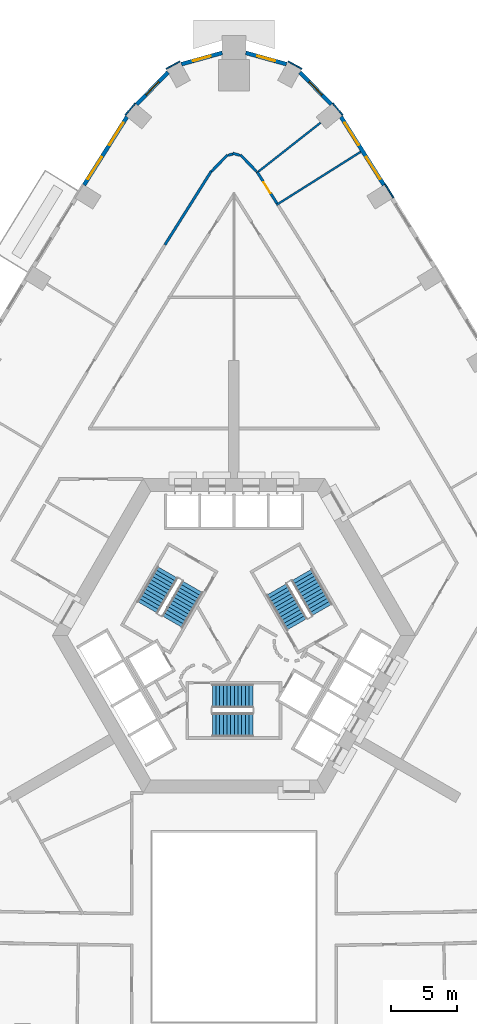
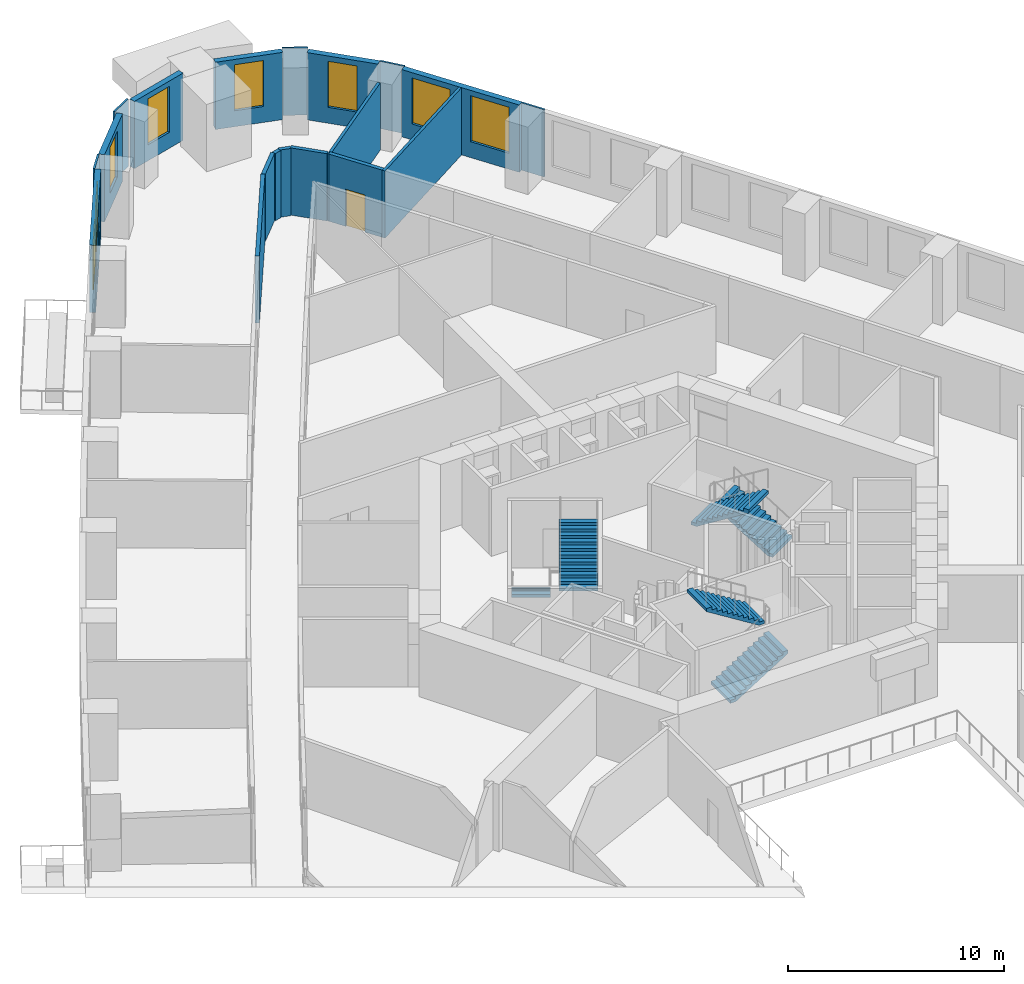
# One storey, part 12 of 15: 19 walls, 8 windows, 6 stair flights, 1 door, 9 openings, 3 elements without a shape of their own.
"""IFC4 building model written with IfcOpenShell, lengths in metres."""

from ifc_helpers import new_model, si_unit, direction, frame, frame_2d, origin, place, context, subcontext, project, spatial, polyline, rectangle, outline, extrude, material, layer, layer_set, type_object, element, fill, aggregate, save


model = new_model("IFC4")

# Units and contexts
model_context = context("Model", 3, precision=1e-05, world=origin(), true_north=direction((0.0, 1.0)))
body_context = subcontext(model_context, "Body", "Model", "MODEL_VIEW")
ifc_project = project(units=[si_unit("LENGTHUNIT", "METRE"), si_unit("AREAUNIT", "SQUARE_METRE"), si_unit("VOLUMEUNIT", "CUBIC_METRE"), si_unit("PLANEANGLEUNIT", "RADIAN"), si_unit("MASSUNIT", "GRAM", prefix="KILO")], contexts=[model_context])

# Site, building, storey
site_placement = place(None, origin())
site = spatial("IfcSite", under=ifc_project, at=site_placement, CompositionType="ELEMENT")
building_placement = place(site_placement, origin())
building = spatial("IfcBuilding", under=site, at=building_placement, Name="Entoto Arch Interchange Tower", CompositionType="ELEMENT")
storey_placement = place(building_placement, frame((0.0, 0.0, 56.0)))
storey = spatial("IfcBuildingStorey", under=building, at=storey_placement, Name="L11", CompositionType="ELEMENT", Elevation=56.0)

# Walls
ifc_material_1 = material(Name="Gypsum board partition on steel studs", Category="steel")
ifc_layer_1 = layer(ifc_material_1, 0.14990234375)
ifc_layer_set_1 = layer_set([ifc_layer_1], Name="Gypsum board partition on steel studs")
wall_type_1 = type_object("IfcWallType", Name="PARTITION 150", PredefinedType="PARTITIONING", material=ifc_layer_set_1)
wall_1_placement = place(storey_placement, frame((3.235107421875, 35.35205078125, 0.0), z_axis=(0.0, 0.0, 1.0), x_axis=(0.845987036055, 0.533203464755, 0.0)))
element("IfcWall", 1, at=wall_1_placement, inside=storey, type_object=wall_type_1, Name="wall:L11:p138", PredefinedType="PARTITIONING", context=body_context, shape_type="SweptSolid", body=[
    extrude(rectangle(XDim=7.599365234375, YDim=0.14990234375, at=frame_2d((3.7998046875, 0.0))), origin(), (0.0, 0.0, 1.0), 3.800048828125),
])
wall_2_placement = place(storey_placement, frame((1.708984375, 37.77294921875, 0.0), z_axis=(0.0, 0.0, 1.0), x_axis=(0.785857956092, 0.618407044629, 0.0)))
element("IfcWall", 2, at=wall_2_placement, inside=storey, type_object=wall_type_1, Name="wall:L11:p139", PredefinedType="PARTITIONING", context=body_context, shape_type="SweptSolid", body=[
    extrude(rectangle(XDim=6.22265625, YDim=0.14990234375, at=frame_2d((3.111328125, 0.0))), origin(), (0.0, 0.0, 1.0), 3.800048828125),
])

# Wall, opening, door
ifc_layer_2 = layer(ifc_material_1, 0.199951171875)
ifc_layer_set_2 = layer_set([ifc_layer_2], Name="Gypsum board partition on steel studs")
wall_type_2 = type_object("IfcWallType", Name="PARTITION 200", PredefinedType="PARTITIONING", material=ifc_layer_set_2)
wall_3_placement = place(storey_placement, frame((1.77490234375, 37.85595703125, 0.0), z_axis=(0.0, 0.0, 1.0), x_axis=(0.533221537001, -0.845975645322, 0.0)))
wall_3 = element("IfcWall", 3, at=wall_3_placement, inside=storey, type_object=wall_type_2, Name="wall:L11:p055", PredefinedType="PARTITIONING", context=body_context, shape_type="SweptSolid", body=[
    extrude(rectangle(XDim=2.82275390625, YDim=0.199951171875, at=frame_2d((1.411376953125, 0.0))), origin(), (0.0, 0.0, 1.0), 3.800048828125),
])
opening_1_placement = place(wall_3_placement, frame((0.910888671875, 0.0, 0.0)))
opening_1 = element("IfcOpeningElement", 4, at=opening_1_placement, cuts=wall_3, Name="Opening L11-D08", PredefinedType="OPENING", context=body_context, shape_type="SweptSolid", body=[
    extrude(rectangle(XDim=1.0, YDim=2.10009765625, at=frame_2d((0.5, 1.050048828125))), frame((0.0, 0.10986328125, 0.0), z_axis=(0.0, -1.0, 0.0), x_axis=(1.0, 0.0, 0.0)), (0.0, 0.0, 1.0), 0.219970703125),
])
ifc_material_2 = material(Name="Timber door leaf in Steel S235 frame", Category="steel")
door_type = type_object("IfcDoorType", Name="DOOR DS-10 1000x2100", OperationType="SINGLE_SWING_LEFT", PredefinedType="DOOR", material=ifc_material_2)
door_placement = place(opening_1_placement, origin())
door = element("IfcDoor", 5, at=door_placement, inside=storey, type_object=door_type, Name="door:L11:08", OperationType="SINGLE_SWING_LEFT", OverallHeight=2.10009765625, OverallWidth=1.0, PredefinedType="DOOR", context=body_context, shape_type="SweptSolid", body=[
    extrude(rectangle(XDim=1.0, YDim=2.10009765625, at=frame_2d((0.5, 1.050048828125))), frame((0.0, 0.02490234375, 0.0), z_axis=(0.0, -1.0, 0.0), x_axis=(1.0, 0.0, 0.0)), (0.0, 0.0, 1.0), 0.050048828125),
])
fill(opening_1, door)

# Walls
wall_4_placement = place(storey_placement, frame((-5.26708984375, 32.31494140625, 0.0), z_axis=(0.0, 0.0, 1.0), x_axis=(0.533195424135, 0.845992103794, 0.0)))
element("IfcWall", 6, at=wall_4_placement, inside=storey, type_object=wall_type_2, Name="wall:L11:p057", PredefinedType="PARTITIONING", context=body_context, shape_type="SweptSolid", body=[
    extrude(rectangle(XDim=6.624267578125, YDim=0.199951171875, at=frame_2d((3.31201171875, 0.0))), origin(), (0.0, 0.0, 1.0), 3.800048828125),
])
wall_5_placement = place(storey_placement, frame((-1.718017578125, 37.906005859375, 0.0), z_axis=(0.0, 0.0, 1.0), x_axis=(0.696949052806, 0.71712064382, 0.0)))
element("IfcWall", 7, at=wall_5_placement, inside=storey, type_object=wall_type_2, Name="wall:L11:p058", PredefinedType="PARTITIONING", context=body_context, shape_type="SweptSolid", body=[
    extrude(rectangle(XDim=1.779052734375, YDim=0.199951171875, at=frame_2d((0.8896484375, 0.0))), origin(), (0.0, 0.0, 1.0), 3.800048828125),
])
wall_6_placement = place(storey_placement, frame((-0.451904296875, 39.136962890625, 0.0), z_axis=(0.0, 0.0, 1.0), x_axis=(0.963347325023, 0.26825721122, 0.0)))
element("IfcWall", 8, at=wall_6_placement, inside=storey, type_object=wall_type_2, Name="wall:L11:p059", PredefinedType="PARTITIONING", context=body_context, shape_type="SweptSolid", body=[
    extrude(rectangle(XDim=0.369384765625, YDim=0.199951171875, at=frame_2d((0.1845703125, 0.0))), origin(), (0.0, 0.0, 1.0), 3.800048828125),
])
wall_7_placement = place(storey_placement, frame((-0.095947265625, 39.2900390625, 0.0), z_axis=(0.0, 0.0, 1.0), x_axis=(0.963110974003, -0.269104536854, 0.0)))
element("IfcWall", 9, at=wall_7_placement, inside=storey, type_object=wall_type_2, Name="wall:L11:p060", PredefinedType="PARTITIONING", context=body_context, shape_type="SweptSolid", body=[
    extrude(rectangle(XDim=0.56884765625, YDim=0.199951171875, at=frame_2d((0.284423828125, 0.0))), origin(), (0.0, 0.0, 1.0), 3.800048828125),
])
wall_8_placement = place(storey_placement, frame((0.47802734375, 39.181884765625, 0.0), z_axis=(0.0, 0.0, 1.0), x_axis=(0.696949052806, -0.71712064382, 0.0)))
element("IfcWall", 10, at=wall_8_placement, inside=storey, type_object=wall_type_2, Name="wall:L11:p061", PredefinedType="PARTITIONING", context=body_context, shape_type="SweptSolid", body=[
    extrude(rectangle(XDim=1.779052734375, YDim=0.199951171875, at=frame_2d((0.8896484375, 0.0))), origin(), (0.0, 0.0, 1.0), 3.800048828125),
])

# Wall, openings, windows
ifc_material_3 = material(Name="Welded tuff (ignimbrite) cladding, warm buff", Category="masonry")
ifc_layer_3 = layer(ifc_material_3, 0.300048828125)
ifc_layer_set_3 = layer_set([ifc_layer_3], Name="Welded tuff (ignimbrite) cladding, warm buff")
wall_type_3 = type_object("IfcWallType", Name="STONE INFILL WALL 300", PredefinedType="STANDARD", material=ifc_layer_set_3)
wall_9_placement = place(storey_placement, frame((11.43896484375, 36.868896484375, 0.0), z_axis=(0.0, 0.0, 1.0), x_axis=(-0.533075127321, 0.846067910177, 0.0)))
wall_9 = element("IfcWall", 11, at=wall_9_placement, inside=storey, type_object=wall_type_3, Name="Facade wall NE-09 L11", PredefinedType="STANDARD", context=body_context, shape_type="SweptSolid", body=[
    extrude(rectangle(XDim=6.15673828125, YDim=0.300048828125, at=frame_2d((3.078369140625, 0.0))), origin(), (0.0, 0.0, 1.0), 3.800048828125),
])
opening_2_placement = place(wall_9_placement, frame((0.5390625, 0.0, 0.89990234375)))
opening_2 = element("IfcOpeningElement", 12, at=opening_2_placement, cuts=wall_9, Name="Opening WO-C", PredefinedType="OPENING", context=body_context, shape_type="SweptSolid", body=[
    extrude(rectangle(XDim=2.0, YDim=2.60009765625, at=frame_2d((1.0, 1.300048828125))), frame((0.0, 0.16015625, 0.0), z_axis=(0.0, -1.0, 0.0), x_axis=(1.0, 0.0, 0.0)), (0.0, 0.0, 1.0), 0.320068359375),
])
opening_3_placement = place(wall_9_placement, frame((3.617919921875, 0.0, 0.89990234375)))
opening_3 = element("IfcOpeningElement", 13, at=opening_3_placement, cuts=wall_9, Name="Opening WO-C", PredefinedType="OPENING", context=body_context, shape_type="SweptSolid", body=[
    extrude(rectangle(XDim=2.0, YDim=2.60009765625, at=frame_2d((1.0, 1.300048828125))), frame((0.0, 0.16015625, 0.0), z_axis=(0.0, -1.0, 0.0), x_axis=(1.0, 0.0, 0.0)), (0.0, 0.0, 1.0), 0.320068359375),
])
ifc_material_4 = material(Name="Clear glass, low-e double glazed", Category="glass")
window_type_1 = type_object("IfcWindowType", Name="WINDOW WO-C 2000x2600", PartitioningType="DOUBLE_PANEL_VERTICAL", PredefinedType="WINDOW", material=ifc_material_4)
window_1_placement = place(opening_2_placement, origin())
window_1 = element("IfcWindow", 14, at=window_1_placement, inside=storey, type_object=window_type_1, Name="Window WO-C NE-09 L11", OverallHeight=2.60009765625, OverallWidth=2.0, PartitioningType="SINGLE_PANEL", PredefinedType="WINDOW", context=body_context, shape_type="SweptSolid", body=[
    extrude(rectangle(XDim=2.0, YDim=2.60009765625, at=frame_2d((1.0, 1.300048828125))), frame((0.0, 0.030029296875, 0.0), z_axis=(0.0, -1.0, 0.0), x_axis=(1.0, 0.0, 0.0)), (0.0, 0.0, 1.0), 0.06005859375),
])
fill(opening_2, window_1)
window_2_placement = place(opening_3_placement, origin())
window_2 = element("IfcWindow", 15, at=window_2_placement, inside=storey, type_object=window_type_1, Name="Window WO-C NE-09 L11", OverallHeight=2.60009765625, OverallWidth=2.0, PartitioningType="SINGLE_PANEL", PredefinedType="WINDOW", context=body_context, shape_type="SweptSolid", body=[
    extrude(rectangle(XDim=2.0, YDim=2.60009765625, at=frame_2d((1.0, 1.300048828125))), frame((0.0, 0.030029296875, 0.0), z_axis=(0.0, -1.0, 0.0), x_axis=(1.0, 0.0, 0.0)), (0.0, 0.0, 1.0), 0.06005859375),
])
fill(opening_3, window_2)

# Wall, opening, window
wall_10_placement = place(storey_placement, frame((7.416015625, 43.02001953125, 0.0), z_axis=(0.0, 0.0, 1.0), x_axis=(-0.696939827977, 0.717129609052, 0.0)))
wall_10 = element("IfcWall", 16, at=wall_10_placement, inside=storey, type_object=wall_type_3, Name="Facade wall N-01 L11", PredefinedType="STANDARD", context=body_context, shape_type="SweptSolid", body=[
    extrude(rectangle(XDim=3.422119140625, YDim=0.300048828125, at=frame_2d((1.7109375, 0.0))), origin(), (0.0, 0.0, 1.0), 3.800048828125),
])
opening_4_placement = place(wall_10_placement, frame((1.010986328125, 0.0, 0.89990234375)))
opening_4 = element("IfcOpeningElement", 17, at=opening_4_placement, cuts=wall_10, Name="Opening WO-B", PredefinedType="OPENING", context=body_context, shape_type="SweptSolid", body=[
    extrude(rectangle(XDim=1.39990234375, YDim=2.60009765625, at=frame_2d((0.699951171875, 1.300048828125))), frame((0.0, 0.16015625, 0.0), z_axis=(0.0, -1.0, 0.0), x_axis=(1.0, 0.0, 0.0)), (0.0, 0.0, 1.0), 0.320068359375),
])
window_type_2 = type_object("IfcWindowType", Name="WINDOW WO-B 1400x2600", PartitioningType="DOUBLE_PANEL_VERTICAL", PredefinedType="WINDOW", material=ifc_material_4)
window_3_placement = place(opening_4_placement, origin())
window_3 = element("IfcWindow", 18, at=window_3_placement, inside=storey, type_object=window_type_2, Name="Window WO-B N-01 L11", OverallHeight=2.60009765625, OverallWidth=1.39990234375, PartitioningType="SINGLE_PANEL", PredefinedType="WINDOW", context=body_context, shape_type="SweptSolid", body=[
    extrude(rectangle(XDim=1.39990234375, YDim=2.60009765625, at=frame_2d((0.699951171875, 1.300048828125))), frame((0.0, 0.030029296875, 0.0), z_axis=(0.0, -1.0, 0.0), x_axis=(1.0, 0.0, 0.0)), (0.0, 0.0, 1.0), 0.06005859375),
])
fill(opening_4, window_3)

wall_11_placement = place(storey_placement, frame((4.0029296875, 46.091064453125, 0.0), z_axis=(0.0, 0.0, 1.0), x_axis=(-0.96355047552, 0.267526598913, 0.0)))
wall_11 = element("IfcWall", 19, at=wall_11_placement, inside=storey, type_object=wall_type_3, Name="Facade wall N-02 L11", PredefinedType="STANDARD", context=body_context, shape_type="SweptSolid", body=[
    extrude(rectangle(XDim=3.221435546875, YDim=0.300048828125, at=frame_2d((1.61083984375, 0.0))), origin(), (0.0, 0.0, 1.0), 3.800048828125),
])
opening_5_placement = place(wall_11_placement, frame((0.910888671875, 0.0, 0.89990234375)))
opening_5 = element("IfcOpeningElement", 20, at=opening_5_placement, cuts=wall_11, Name="Opening WO-B", PredefinedType="OPENING", context=body_context, shape_type="SweptSolid", body=[
    extrude(rectangle(XDim=1.39990234375, YDim=2.60009765625, at=frame_2d((0.699951171875, 1.300048828125))), frame((0.0, 0.16015625, 0.0), z_axis=(0.0, -1.0, 0.0), x_axis=(1.0, 0.0, 0.0)), (0.0, 0.0, 1.0), 0.320068359375),
])
window_4_placement = place(opening_5_placement, origin())
window_4 = element("IfcWindow", 21, at=window_4_placement, inside=storey, type_object=window_type_2, Name="Window WO-B N-02 L11", OverallHeight=2.60009765625, OverallWidth=1.39990234375, PartitioningType="SINGLE_PANEL", PredefinedType="WINDOW", context=body_context, shape_type="SweptSolid", body=[
    extrude(rectangle(XDim=1.39990234375, YDim=2.60009765625, at=frame_2d((0.699951171875, 1.300048828125))), frame((0.0, 0.030029296875, 0.0), z_axis=(0.0, -1.0, 0.0), x_axis=(1.0, 0.0, 0.0)), (0.0, 0.0, 1.0), 0.06005859375),
])
fill(opening_5, window_4)

wall_12_placement = place(storey_placement, frame((-0.89892578125, 46.952880859375, 0.0), z_axis=(0.0, 0.0, 1.0), x_axis=(-0.96355047552, -0.267526598913, 0.0)))
wall_12 = element("IfcWall", 22, at=wall_12_placement, inside=storey, type_object=wall_type_3, Name="Facade wall N-03 L11", PredefinedType="STANDARD", context=body_context, shape_type="SweptSolid", body=[
    extrude(rectangle(XDim=3.221435546875, YDim=0.300048828125, at=frame_2d((1.61083984375, 0.0))), origin(), (0.0, 0.0, 1.0), 3.800048828125),
])
opening_6_placement = place(wall_12_placement, frame((0.910888671875, 0.0, 0.89990234375)))
opening_6 = element("IfcOpeningElement", 23, at=opening_6_placement, cuts=wall_12, Name="Opening WO-B", PredefinedType="OPENING", context=body_context, shape_type="SweptSolid", body=[
    extrude(rectangle(XDim=1.39990234375, YDim=2.60009765625, at=frame_2d((0.699951171875, 1.300048828125))), frame((0.0, 0.16015625, 0.0), z_axis=(0.0, -1.0, 0.0), x_axis=(1.0, 0.0, 0.0)), (0.0, 0.0, 1.0), 0.320068359375),
])
window_5_placement = place(opening_6_placement, origin())
window_5 = element("IfcWindow", 24, at=window_5_placement, inside=storey, type_object=window_type_2, Name="Window WO-B N-03 L11", OverallHeight=2.60009765625, OverallWidth=1.39990234375, PartitioningType="SINGLE_PANEL", PredefinedType="WINDOW", context=body_context, shape_type="SweptSolid", body=[
    extrude(rectangle(XDim=1.39990234375, YDim=2.60009765625, at=frame_2d((0.699951171875, 1.300048828125))), frame((0.0, 0.030029296875, 0.0), z_axis=(0.0, -1.0, 0.0), x_axis=(1.0, 0.0, 0.0)), (0.0, 0.0, 1.0), 0.06005859375),
])
fill(opening_6, window_5)

wall_13_placement = place(storey_placement, frame((-5.031005859375, 45.47412109375, 0.0), z_axis=(0.0, 0.0, 1.0), x_axis=(-0.696939827977, -0.717129609052, 0.0)))
wall_13 = element("IfcWall", 25, at=wall_13_placement, inside=storey, type_object=wall_type_3, Name="Facade wall N-04 L11", PredefinedType="STANDARD", context=body_context, shape_type="SweptSolid", body=[
    extrude(rectangle(XDim=3.422119140625, YDim=0.300048828125, at=frame_2d((1.7109375, 0.0))), origin(), (0.0, 0.0, 1.0), 3.800048828125),
])
opening_7_placement = place(wall_13_placement, frame((1.010986328125, 0.0, 0.89990234375)))
opening_7 = element("IfcOpeningElement", 26, at=opening_7_placement, cuts=wall_13, Name="Opening WO-B", PredefinedType="OPENING", context=body_context, shape_type="SweptSolid", body=[
    extrude(rectangle(XDim=1.39990234375, YDim=2.60009765625, at=frame_2d((0.699951171875, 1.300048828125))), frame((0.0, 0.16015625, 0.0), z_axis=(0.0, -1.0, 0.0), x_axis=(1.0, 0.0, 0.0)), (0.0, 0.0, 1.0), 0.320068359375),
])
window_6_placement = place(opening_7_placement, origin())
window_6 = element("IfcWindow", 27, at=window_6_placement, inside=storey, type_object=window_type_2, Name="Window WO-B N-04 L11", OverallHeight=2.60009765625, OverallWidth=1.39990234375, PartitioningType="SINGLE_PANEL", PredefinedType="WINDOW", context=body_context, shape_type="SweptSolid", body=[
    extrude(rectangle(XDim=1.39990234375, YDim=2.60009765625, at=frame_2d((0.699951171875, 1.300048828125))), frame((0.0, 0.030029296875, 0.0), z_axis=(0.0, -1.0, 0.0), x_axis=(1.0, 0.0, 0.0)), (0.0, 0.0, 1.0), 0.06005859375),
])
fill(opening_7, window_6)

# Wall, openings, windows
wall_14_placement = place(storey_placement, frame((-8.156982421875, 42.077880859375, 0.0), z_axis=(0.0, 0.0, 1.0), x_axis=(-0.533075127321, -0.846067910177, 0.0)))
wall_14 = element("IfcWall", 28, at=wall_14_placement, inside=storey, type_object=wall_type_3, Name="Facade wall NW-01 L11", PredefinedType="STANDARD", context=body_context, shape_type="SweptSolid", body=[
    extrude(rectangle(XDim=6.15673828125, YDim=0.300048828125, at=frame_2d((3.078369140625, 0.0))), origin(), (0.0, 0.0, 1.0), 3.800048828125),
])
opening_8_placement = place(wall_14_placement, frame((0.5390625, 0.0, 0.89990234375)))
opening_8 = element("IfcOpeningElement", 29, at=opening_8_placement, cuts=wall_14, Name="Opening WO-C", PredefinedType="OPENING", context=body_context, shape_type="SweptSolid", body=[
    extrude(rectangle(XDim=2.0, YDim=2.60009765625, at=frame_2d((1.0, 1.300048828125))), frame((0.0, 0.16015625, 0.0), z_axis=(0.0, -1.0, 0.0), x_axis=(1.0, 0.0, 0.0)), (0.0, 0.0, 1.0), 0.320068359375),
])
opening_9_placement = place(wall_14_placement, frame((3.617919921875, 0.0, 0.89990234375)))
opening_9 = element("IfcOpeningElement", 30, at=opening_9_placement, cuts=wall_14, Name="Opening WO-C", PredefinedType="OPENING", context=body_context, shape_type="SweptSolid", body=[
    extrude(rectangle(XDim=2.0, YDim=2.60009765625, at=frame_2d((1.0, 1.300048828125))), frame((0.0, 0.16015625, 0.0), z_axis=(0.0, -1.0, 0.0), x_axis=(1.0, 0.0, 0.0)), (0.0, 0.0, 1.0), 0.320068359375),
])
window_7_placement = place(opening_8_placement, origin())
window_7 = element("IfcWindow", 31, at=window_7_placement, inside=storey, type_object=window_type_1, Name="Window WO-C NW-01 L11", OverallHeight=2.60009765625, OverallWidth=2.0, PartitioningType="SINGLE_PANEL", PredefinedType="WINDOW", context=body_context, shape_type="SweptSolid", body=[
    extrude(rectangle(XDim=2.0, YDim=2.60009765625, at=frame_2d((1.0, 1.300048828125))), frame((0.0, 0.030029296875, 0.0), z_axis=(0.0, -1.0, 0.0), x_axis=(1.0, 0.0, 0.0)), (0.0, 0.0, 1.0), 0.06005859375),
])
fill(opening_8, window_7)
window_8_placement = place(opening_9_placement, origin())
window_8 = element("IfcWindow", 32, at=window_8_placement, inside=storey, type_object=window_type_1, Name="Window WO-C NW-01 L11", OverallHeight=2.60009765625, OverallWidth=2.0, PartitioningType="SINGLE_PANEL", PredefinedType="WINDOW", context=body_context, shape_type="SweptSolid", body=[
    extrude(rectangle(XDim=2.0, YDim=2.60009765625, at=frame_2d((1.0, 1.300048828125))), frame((0.0, 0.030029296875, 0.0), z_axis=(0.0, -1.0, 0.0), x_axis=(1.0, 0.0, 0.0)), (0.0, 0.0, 1.0), 0.06005859375),
])
fill(opening_9, window_8)

# Walls
ifc_layer_4 = layer(ifc_material_3, 0.10009765625)
ifc_layer_set_4 = layer_set([ifc_layer_4], Name="Welded tuff (ignimbrite) cladding, warm buff")
wall_type_4 = type_object("IfcWallType", Name="STONE PIER CLADDING 100", PredefinedType="STANDARD", material=ifc_layer_set_4)
for number, where, z_axis, x_axis, name in (
    (33, (5.172119140625, 45.72900390625, 0.0), (0.0, 0.0, 1.0), (-0.877155474831, 0.480206489934, 0.0), "Stone pier N1 L11"),
    (34, (-4.1201171875, 46.304931640625, 0.0), (0.0, 0.0, 1.0), (-0.877155474831, -0.480206489934, 0.0), "Stone pier N3 L11"),
):
    element("IfcWall", number, at=place(storey_placement, frame(where, z_axis=z_axis, x_axis=x_axis)), inside=storey, type_object=wall_type_4, Name=name, PredefinedType="STANDARD", context=body_context, shape_type="SweptSolid", body=[
        extrude(rectangle(XDim=1.19921875, YDim=0.10009765625, at=frame_2d((0.599609375, 0.0))), origin(), (0.0, 0.0, 1.0), 3.800048828125),
    ])
wall_15_placement = place(storey_placement, frame((12.162109375, 35.906982421875, 0.0), z_axis=(0.0, 0.0, 1.0), x_axis=(-0.530328162925, 0.847792450785, 0.0)))
element("IfcWall", 35, at=wall_15_placement, inside=storey, type_object=wall_type_4, Name="Stone pier NE09 L11", PredefinedType="STANDARD", context=body_context, shape_type="SweptSolid", body=[
    extrude(rectangle(XDim=1.19970703125, YDim=0.10009765625, at=frame_2d((0.599853515625, 0.0))), origin(), (0.0, 0.0, 1.0), 3.800048828125),
])
for number, where, z_axis, x_axis, name in (
    (36, (8.294921875, 42.19091796875, 0.0), (0.0, 0.0, 1.0), (-0.637638520791, 0.770335716947, 0.0), "Stone pier NE10 L11"),
    (37, (-7.530029296875, 43.114990234375, 0.0), (0.0, 0.0, 1.0), (-0.637638520791, -0.770335716947, 0.0), "Stone pier NW01 L11"),
):
    element("IfcWall", number, at=place(storey_placement, frame(where, z_axis=z_axis, x_axis=x_axis)), inside=storey, type_object=wall_type_4, Name=name, PredefinedType="STANDARD", context=body_context, shape_type="SweptSolid", body=[
        extrude(rectangle(XDim=1.199462890625, YDim=0.10009765625, at=frame_2d((0.599609375, 0.0))), origin(), (0.0, 0.0, 1.0), 3.800048828125),
    ])

# Stair, stair flights
ifc_material_5 = material(Name="Concrete C40/50", Category="concrete")
stair_type = type_object("IfcStairType", Name="EXIT STAIR RC 1800", PredefinedType="HALF_TURN_STAIR", material=ifc_material_5)
stair_1_placement = place(storey_placement, origin())
stair_1 = element("IfcStair", 38, at=stair_1_placement, inside=storey, type_object=stair_type, Name="L11 Exit stair S", PredefinedType="HALF_TURN_STAIR")
stair_flight_type = type_object("IfcStairFlightType", Name="EXIT STAIR FLIGHT RC 1800", PredefinedType="STRAIGHT", material=ifc_material_5)
stair_flight_1_placement = place(storey_placement, frame((-1.64990234375, -4.300048828125, 0.0), z_axis=(0.0, 0.0, 1.0), x_axis=(1.0, 0.0, 0.0)))
stair_flight_1 = element("IfcStairFlight", 39, at=stair_flight_1_placement, type_object=stair_flight_type, Name="ST-S flight 1", NumberOfRisers=12, NumberOfTreads=11, PredefinedType="STRAIGHT", RiserHeight=0.175, TreadLength=0.28, context=body_context, shape_type="SweptSolid", body=[
    extrude(outline(polyline([(-0.0029296875, 0.0), (-0.0029296875, 0.175048828125), (0.280029296875, 0.175048828125), (0.280029296875, 0.35009765625), (0.56005859375, 0.35009765625), (0.56005859375, 0.52490234375), (0.840087890625, 0.52490234375), (0.840087890625, 0.699951171875), (1.1201171875, 0.699951171875), (1.1201171875, 0.875), (1.39990234375, 0.875), (1.39990234375, 1.050048828125), (1.679931640625, 1.050048828125), (1.679931640625, 1.22509765625), (1.9599609375, 1.22509765625), (1.9599609375, 1.39990234375), (2.239990234375, 1.39990234375), (2.239990234375, 1.574951171875), (2.52001953125, 1.574951171875), (2.52001953125, 1.75), (2.800048828125, 1.75), (2.800048828125, 1.925048828125), (3.080078125, 1.925048828125), (3.0830078125, 1.925048828125), (3.0830078125, 1.75), (0.28271484375, 0.0), (-0.0029296875, 0.0)])), frame((0.0, 0.89990234375, 0.0), z_axis=(0.0, -1.0, 0.0), x_axis=(1.0, 0.0, 0.0)), (0.0, 0.0, 1.0), 1.800048828125),
])
stair_flight_2_placement = place(storey_placement, frame((1.429931640625, -2.10009765625, 2.10009765625), z_axis=(0.0, 0.0, 1.0), x_axis=(-1.0, 0.0, 0.0)))
stair_flight_2 = element("IfcStairFlight", 40, at=stair_flight_2_placement, type_object=stair_flight_type, Name="ST-S flight 2", NumberOfRisers=12, NumberOfTreads=11, PredefinedType="STRAIGHT", RiserHeight=0.175, TreadLength=0.28, context=body_context, shape_type="SweptSolid", body=[
    extrude(outline(polyline([(-0.0029296875, 0.0), (-0.0029296875, 0.175048828125), (0.280029296875, 0.175048828125), (0.280029296875, 0.35009765625), (0.56005859375, 0.35009765625), (0.56005859375, 0.52490234375), (0.840087890625, 0.52490234375), (0.840087890625, 0.699951171875), (1.1201171875, 0.699951171875), (1.1201171875, 0.875), (1.39990234375, 0.875), (1.39990234375, 1.050048828125), (1.679931640625, 1.050048828125), (1.679931640625, 1.22509765625), (1.9599609375, 1.22509765625), (1.9599609375, 1.39990234375), (2.239990234375, 1.39990234375), (2.239990234375, 1.574951171875), (2.52001953125, 1.574951171875), (2.52001953125, 1.75), (2.800048828125, 1.75), (2.800048828125, 1.925048828125), (3.080078125, 1.925048828125), (3.0830078125, 1.925048828125), (3.0830078125, 1.75), (0.28271484375, 0.0), (-0.0029296875, 0.0)])), frame((0.0, 0.89990234375, 0.0), z_axis=(0.0, -1.0, 0.0), x_axis=(1.0, 0.0, 0.0)), (0.0, 0.0, 1.0), 1.800048828125),
])
aggregate(stair_1, [stair_flight_1, stair_flight_2])

stair_2_placement = place(storey_placement, origin())
stair_2 = element("IfcStair", 41, at=stair_2_placement, inside=storey, type_object=stair_type, Name="L11 Exit stair NE", PredefinedType="HALF_TURN_STAIR")
stair_flight_3_placement = place(storey_placement, frame((6.7138671875, 4.470947265625, 0.0), z_axis=(0.0, 0.0, 1.0), x_axis=(-0.5, 0.866025403784, 0.0)))
stair_flight_3 = element("IfcStairFlight", 42, at=stair_flight_3_placement, type_object=stair_flight_type, Name="ST-NE flight 1", NumberOfRisers=12, NumberOfTreads=11, PredefinedType="STRAIGHT", RiserHeight=0.175, TreadLength=0.28, context=body_context, shape_type="SweptSolid", body=[
    extrude(outline(polyline([(-0.0029296875, 0.0), (-0.0029296875, 0.175048828125), (0.280029296875, 0.175048828125), (0.280029296875, 0.35009765625), (0.56005859375, 0.35009765625), (0.56005859375, 0.52490234375), (0.840087890625, 0.52490234375), (0.840087890625, 0.699951171875), (1.1201171875, 0.699951171875), (1.1201171875, 0.875), (1.39990234375, 0.875), (1.39990234375, 1.050048828125), (1.679931640625, 1.050048828125), (1.679931640625, 1.22509765625), (1.9599609375, 1.22509765625), (1.9599609375, 1.39990234375), (2.239990234375, 1.39990234375), (2.239990234375, 1.574951171875), (2.52001953125, 1.574951171875), (2.52001953125, 1.75), (2.800048828125, 1.75), (2.800048828125, 1.925048828125), (3.080078125, 1.925048828125), (3.0830078125, 1.925048828125), (3.0830078125, 1.75), (0.28271484375, 0.0), (-0.0029296875, 0.0)])), frame((0.0, 0.89990234375, 0.0), z_axis=(0.0, -1.0, 0.0), x_axis=(1.0, 0.0, 0.0)), (0.0, 0.0, 1.0), 1.800048828125),
])
stair_flight_4_placement = place(storey_placement, frame((3.268798828125, 6.038330078125, 2.10009765625), z_axis=(0.0, 0.0, 1.0), x_axis=(0.5, -0.866025403784, 0.0)))
stair_flight_4 = element("IfcStairFlight", 43, at=stair_flight_4_placement, type_object=stair_flight_type, Name="ST-NE flight 2", NumberOfRisers=12, NumberOfTreads=11, PredefinedType="STRAIGHT", RiserHeight=0.175, TreadLength=0.28, context=body_context, shape_type="SweptSolid", body=[
    extrude(outline(polyline([(-0.0029296875, 0.0), (-0.0029296875, 0.175048828125), (0.280029296875, 0.175048828125), (0.280029296875, 0.35009765625), (0.56005859375, 0.35009765625), (0.56005859375, 0.52490234375), (0.840087890625, 0.52490234375), (0.840087890625, 0.699951171875), (1.1201171875, 0.699951171875), (1.1201171875, 0.875), (1.39990234375, 0.875), (1.39990234375, 1.050048828125), (1.679931640625, 1.050048828125), (1.679931640625, 1.22509765625), (1.9599609375, 1.22509765625), (1.9599609375, 1.39990234375), (2.239990234375, 1.39990234375), (2.239990234375, 1.574951171875), (2.52001953125, 1.574951171875), (2.52001953125, 1.75), (2.800048828125, 1.75), (2.800048828125, 1.925048828125), (3.080078125, 1.925048828125), (3.0830078125, 1.925048828125), (3.0830078125, 1.75), (0.28271484375, 0.0), (-0.0029296875, 0.0)])), frame((0.0, 0.89990234375, 0.0), z_axis=(0.0, -1.0, 0.0), x_axis=(1.0, 0.0, 0.0)), (0.0, 0.0, 1.0), 1.800048828125),
])
aggregate(stair_2, [stair_flight_3, stair_flight_4])

stair_3_placement = place(storey_placement, origin())
stair_3 = element("IfcStair", 44, at=stair_3_placement, inside=storey, type_object=stair_type, Name="L11 Exit stair NW", PredefinedType="HALF_TURN_STAIR")
stair_flight_5_placement = place(storey_placement, frame((-5.06396484375, 7.328857421875, 0.0), z_axis=(0.0, 0.0, 1.0), x_axis=(-0.5, -0.866025403784, 0.0)))
stair_flight_5 = element("IfcStairFlight", 45, at=stair_flight_5_placement, type_object=stair_flight_type, Name="ST-NW flight 1", NumberOfRisers=12, NumberOfTreads=11, PredefinedType="STRAIGHT", RiserHeight=0.175, TreadLength=0.28, context=body_context, shape_type="SweptSolid", body=[
    extrude(outline(polyline([(-0.0029296875, 0.0), (-0.0029296875, 0.175048828125), (0.280029296875, 0.175048828125), (0.280029296875, 0.35009765625), (0.56005859375, 0.35009765625), (0.56005859375, 0.52490234375), (0.840087890625, 0.52490234375), (0.840087890625, 0.699951171875), (1.1201171875, 0.699951171875), (1.1201171875, 0.875), (1.39990234375, 0.875), (1.39990234375, 1.050048828125), (1.679931640625, 1.050048828125), (1.679931640625, 1.22509765625), (1.9599609375, 1.22509765625), (1.9599609375, 1.39990234375), (2.239990234375, 1.39990234375), (2.239990234375, 1.574951171875), (2.52001953125, 1.574951171875), (2.52001953125, 1.75), (2.800048828125, 1.75), (2.800048828125, 1.925048828125), (3.080078125, 1.925048828125), (3.0830078125, 1.925048828125), (3.0830078125, 1.75), (0.28271484375, 0.0), (-0.0029296875, 0.0)])), frame((0.0, 0.89990234375, 0.0), z_axis=(0.0, -1.0, 0.0), x_axis=(1.0, 0.0, 0.0)), (0.0, 0.0, 1.0), 1.800048828125),
])
stair_flight_6_placement = place(storey_placement, frame((-4.69873046875, 3.5615234375, 2.10009765625), z_axis=(0.0, 0.0, 1.0), x_axis=(0.5, 0.866025403784, 0.0)))
stair_flight_6 = element("IfcStairFlight", 46, at=stair_flight_6_placement, type_object=stair_flight_type, Name="ST-NW flight 2", NumberOfRisers=12, NumberOfTreads=11, PredefinedType="STRAIGHT", RiserHeight=0.175, TreadLength=0.28, context=body_context, shape_type="SweptSolid", body=[
    extrude(outline(polyline([(-0.0029296875, 0.0), (-0.0029296875, 0.175048828125), (0.280029296875, 0.175048828125), (0.280029296875, 0.35009765625), (0.56005859375, 0.35009765625), (0.56005859375, 0.52490234375), (0.840087890625, 0.52490234375), (0.840087890625, 0.699951171875), (1.1201171875, 0.699951171875), (1.1201171875, 0.875), (1.39990234375, 0.875), (1.39990234375, 1.050048828125), (1.679931640625, 1.050048828125), (1.679931640625, 1.22509765625), (1.9599609375, 1.22509765625), (1.9599609375, 1.39990234375), (2.239990234375, 1.39990234375), (2.239990234375, 1.574951171875), (2.52001953125, 1.574951171875), (2.52001953125, 1.75), (2.800048828125, 1.75), (2.800048828125, 1.925048828125), (3.080078125, 1.925048828125), (3.0830078125, 1.925048828125), (3.0830078125, 1.75), (0.28271484375, 0.0), (-0.0029296875, 0.0)])), frame((0.0, 0.89990234375, 0.0), z_axis=(0.0, -1.0, 0.0), x_axis=(1.0, 0.0, 0.0)), (0.0, 0.0, 1.0), 1.800048828125),
])
aggregate(stair_3, [stair_flight_5, stair_flight_6])

save(model, "model.ifc")
